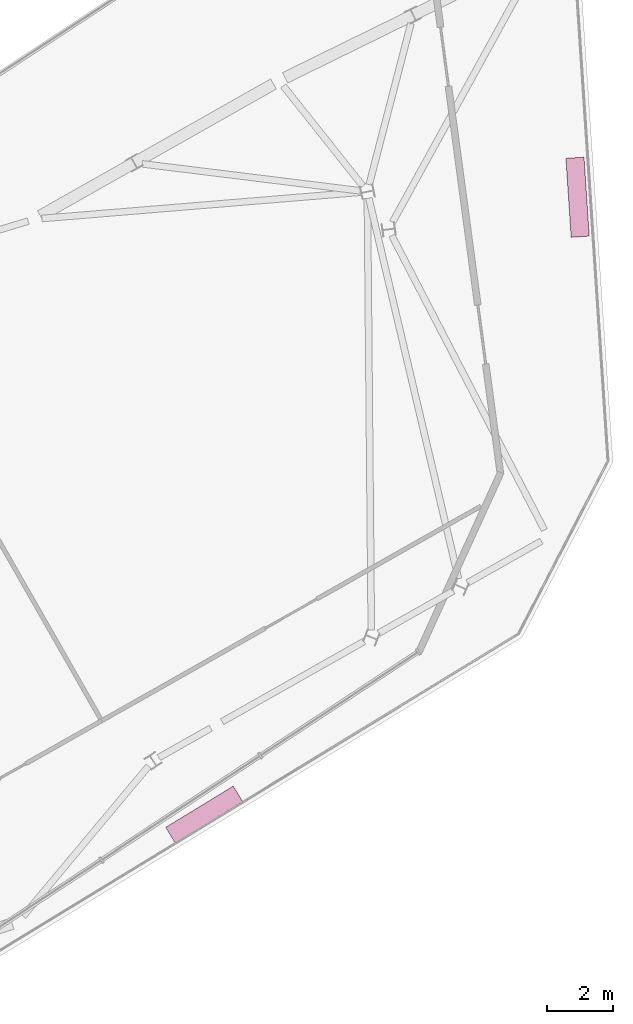
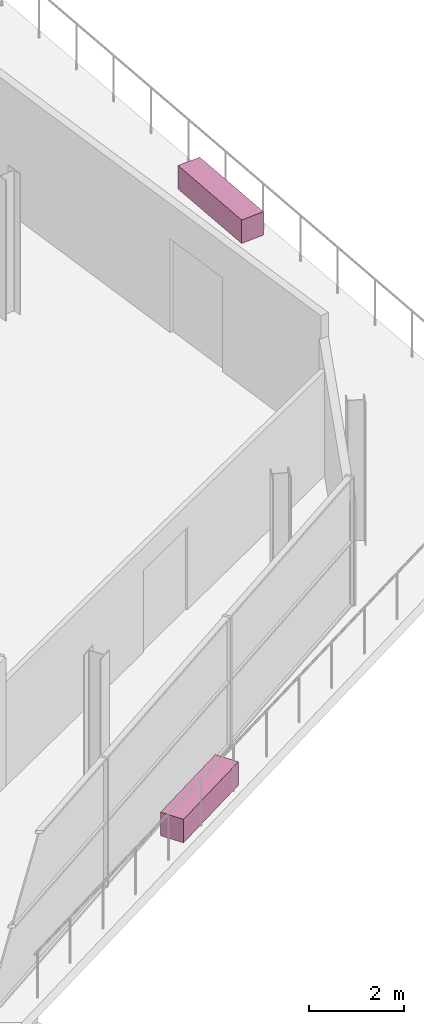
# One storey, part 10 of 10: 2 furnishings.
"""IFC4 building model written with IfcOpenShell, lengths in metres."""

from ifc_helpers import new_model, si_unit, direction, frame, origin, origin_2d, place, context, subcontext, project, spatial, rectangle, extrude, material, type_object, element, save


model = new_model("IFC4")

# Units and contexts
model_context = context("Model", 3, precision=1e-05, world=origin(), true_north=direction((0.0, 1.0)))
body_context = subcontext(model_context, "Body", "Model", "MODEL_VIEW")
ifc_project = project(units=[si_unit("LENGTHUNIT", "METRE"), si_unit("AREAUNIT", "SQUARE_METRE"), si_unit("VOLUMEUNIT", "CUBIC_METRE"), si_unit("PLANEANGLEUNIT", "RADIAN"), si_unit("MASSUNIT", "GRAM", prefix="KILO")], contexts=[model_context])

# Site, building, storey
site_placement = place(None, origin())
site = spatial("IfcSite", under=ifc_project, at=site_placement, CompositionType="ELEMENT")
building_placement = place(site_placement, origin())
building = spatial("IfcBuilding", under=site, at=building_placement, Name="Binnacle Exchange Tower", CompositionType="ELEMENT")
storey_placement = place(building_placement, frame((0.0, 0.0, 354.10009765625)))
storey = spatial("IfcBuildingStorey", under=building, at=storey_placement, Name="L81", CompositionType="ELEMENT", Elevation=354.10009765625)

# Furnishings
ifc_material = material(Name="Concrete C35/45", Category="concrete")
furnishing_element_type = type_object("IfcFurnishingElementType", Name="PLANTER 2400x550x600", material=ifc_material)
for number, where, z_axis, x_axis, name in (
    (1, (-15.830810546875, 40.6953125, -0.000244140625), (0.0, 0.0, 1.0), (0.853461670122, 0.521155617482, 0.0), "Planter 1 Terrace C2"),
    (2, (-4.5048828125, 59.419189453125, -0.000244140625), (0.0, 0.0, 1.0), (-0.066616970418, 0.997778622367, 0.0), "Planter 3 Terrace C2"),
):
    element("IfcFurnishingElement", number, at=place(storey_placement, frame(where, z_axis=z_axis, x_axis=x_axis)), inside=storey, type_object=furnishing_element_type, Name=name, ObjectType="PLANTER", context=body_context, shape_type="SweptSolid", body=[
        extrude(rectangle(XDim=2.39990234375, YDim=0.550048828125, at=origin_2d()), origin(), (0.0, 0.0, 1.0), 0.60009765625),
    ])

save(model, "model.ifc")
